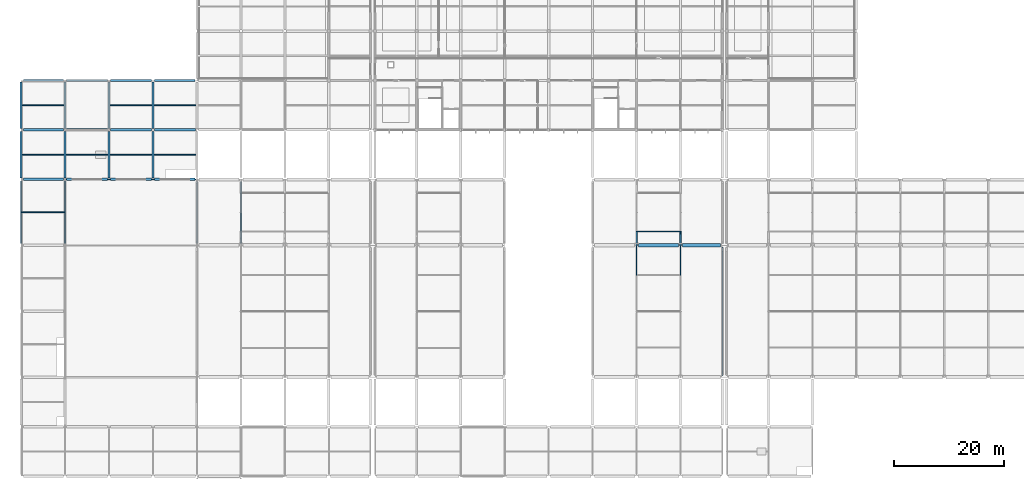
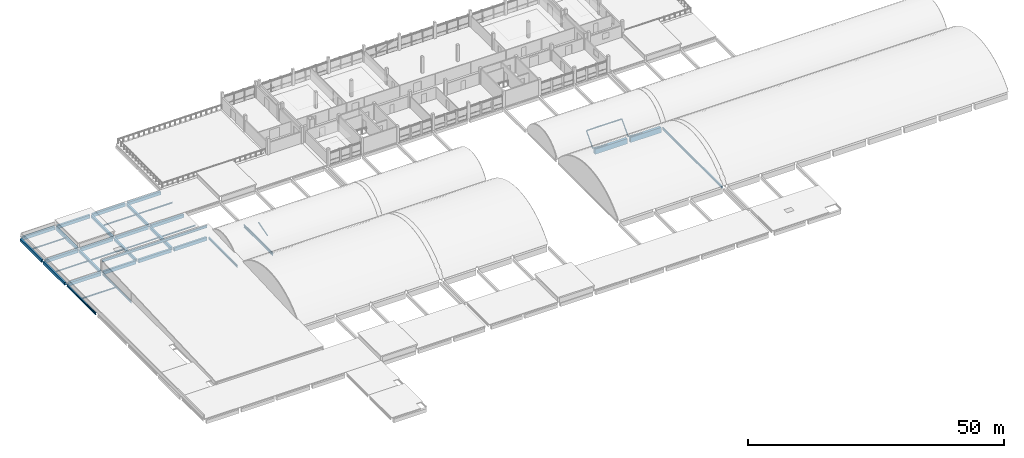
# One storey, part 13 of 57: 36 beams, 7 members.
"""IFC4 building model written with IfcOpenShell, lengths in metres."""

from ifc_helpers import new_model, si_unit, direction, frame, origin, origin_2d, place, context, subcontext, project, spatial, rectangle, hollow_rectangle, hollow_circle, i_section, extrude, material, material_profile, profile_set, type_object, element, save


model = new_model("IFC4")

# Units and contexts
model_context = context("Model", 3, precision=1e-05, world=origin(), true_north=direction((0.0, 1.0)))
body_context = subcontext(model_context, "Body", "Model", "MODEL_VIEW")
ifc_project = project(units=[si_unit("LENGTHUNIT", "METRE"), si_unit("AREAUNIT", "SQUARE_METRE"), si_unit("VOLUMEUNIT", "CUBIC_METRE"), si_unit("PLANEANGLEUNIT", "RADIAN"), si_unit("MASSUNIT", "GRAM", prefix="KILO"), si_unit("THERMODYNAMICTEMPERATUREUNIT", "KELVIN"), si_unit("POWERUNIT", "WATT")], contexts=[model_context])

# Site, building, storey
site_placement = place(None, origin())
site = spatial("IfcSite", under=ifc_project, at=site_placement, CompositionType="ELEMENT")
building_placement = place(site_placement, origin())
building = spatial("IfcBuilding", under=site, at=building_placement, Name="Kronsvod Quay Wholesale Market", CompositionType="ELEMENT")
storey_placement = place(building_placement, frame((0.0, 0.0, 13.199951171875)))
storey = spatial("IfcBuildingStorey", under=building, at=storey_placement, Name="L03", CompositionType="ELEMENT", Elevation=13.199951171875)

# Beams
ifc_material_1 = material(Name="Precast concrete C40/50", Category="concrete")
ifc_material_profile_1 = material_profile(ifc_material_1, rectangle(XDim=0.39990234375, YDim=0.64990234375, at=origin_2d()), Name="PCB400x650")
ifc_profile_set_1 = profile_set([ifc_material_profile_1], Name="Precast concrete C40/50")
beam_type_1 = type_object("IfcBeamType", Name="Beam_PCB400x650", PredefinedType="BEAM", material=ifc_profile_set_1)
for number, where, z_axis, x_axis, name in (
    (1, (0.0, 90.300048828125, -0.635009765625), (0.0, 1.0, 0.0), (-1.0, 0.0, 0.0), "BMY-L03-0-900"),
    (2, (0.0, 99.300048828125, -0.635009765625), (0.0, 1.0, 0.0), (-1.0, 0.0, 0.0), "BMY-L03-0-990"),
    (3, (8.0, 90.300048828125, -0.635009765625), (0.0, 1.0, 0.0), (-1.0, 0.0, 0.0), "BMY-L03-80-900"),
    (4, (8.0, 99.300048828125, -0.635009765625), (0.0, 1.0, 0.0), (-1.0, 0.0, 0.0), "BMY-L03-80-990"),
    (5, (16.0, 90.300048828125, -0.635009765625), (0.0, 1.0, 0.0), (-1.0, 0.0, 0.0), "BMY-L03-160-900"),
    (6, (16.0, 99.300048828125, -0.635009765625), (0.0, 1.0, 0.0), (-1.0, 0.0, 0.0), "BMY-L03-160-990"),
    (7, (24.0, 90.300048828125, -0.635009765625), (0.0, 1.0, 0.0), (-1.0, 0.0, 0.0), "BMY-L03-240-900"),
    (8, (24.0, 99.300048828125, -0.635009765625), (0.0, 1.0, 0.0), (-1.0, 0.0, 0.0), "BMY-L03-240-990"),
):
    element("IfcBeam", number, at=place(storey_placement, frame(where, z_axis=z_axis, x_axis=x_axis)), inside=storey, type_object=beam_type_1, Name=name, PredefinedType="BEAM", context=body_context, shape_type="SweptSolid", body=[
        extrude(rectangle(XDim=0.39990234375, YDim=0.64990234375, at=origin_2d()), origin(), (0.0, 0.0, 1.0), 8.39990234375),
    ])
ifc_material_2 = material(Name="Precast concrete C40/50", Category="concrete")
ifc_material_profile_2 = material_profile(ifc_material_2, rectangle(XDim=0.449951171875, YDim=0.75, at=origin_2d()), Name="PCB450x750")
ifc_profile_set_2 = profile_set([ifc_material_profile_2], Name="Precast concrete C40/50")
beam_type_2 = type_object("IfcBeamType", Name="Beam_PCB450x750", PredefinedType="BEAM", material=ifc_profile_set_2)
beam_1_placement = place(storey_placement, frame((0.39990234375, 99.0, -0.68505859375), z_axis=(1.0, 0.0, 0.0), x_axis=(0.0, 1.0, 0.0)))
element("IfcBeam", 9, at=beam_1_placement, inside=storey, type_object=beam_type_2, Name="BMX-L03-0-990", PredefinedType="BEAM", context=body_context, shape_type="SweptSolid", body=[
    extrude(rectangle(XDim=0.449951171875, YDim=0.75, at=origin_2d()), origin(), (0.0, 0.0, 1.0), 7.300048828125),
])
for number, where, z_axis, x_axis, name in (
    (10, (8.300048828125, 99.0, -0.68505859375), (1.0, 0.0, 0.0), (0.0, 1.0, 0.0), "BMX-L03-80-990"),
    (11, (16.300048828125, 99.0, -0.68505859375), (1.0, 0.0, 0.0), (0.0, 1.0, 0.0), "BMX-L03-160-990"),
    (12, (24.300048828125, 99.0, -0.68505859375), (1.0, 0.0, 0.0), (0.0, 1.0, 0.0), "BMX-L03-240-990"),
):
    element("IfcBeam", number, at=place(storey_placement, frame(where, z_axis=z_axis, x_axis=x_axis)), inside=storey, type_object=beam_type_2, Name=name, PredefinedType="BEAM", context=body_context, shape_type="SweptSolid", body=[
        extrude(rectangle(XDim=0.449951171875, YDim=0.75, at=origin_2d()), origin(), (0.0, 0.0, 1.0), 7.39990234375),
    ])
beam_2_placement = place(storey_placement, frame((0.39990234375, 108.0, -0.68505859375), z_axis=(1.0, 0.0, 0.0), x_axis=(0.0, 1.0, 0.0)))
element("IfcBeam", 13, at=beam_2_placement, inside=storey, type_object=beam_type_2, Name="BMX-L03-0-1080", PredefinedType="BEAM", context=body_context, shape_type="SweptSolid", body=[
    extrude(rectangle(XDim=0.449951171875, YDim=0.75, at=origin_2d()), origin(), (0.0, 0.0, 1.0), 7.300048828125),
])
for number, where, z_axis, x_axis, name in (
    (14, (8.300048828125, 108.0, -0.68505859375), (1.0, 0.0, 0.0), (0.0, 1.0, 0.0), "BMX-L03-80-1080"),
    (15, (16.300048828125, 108.0, -0.68505859375), (1.0, 0.0, 0.0), (0.0, 1.0, 0.0), "BMX-L03-160-1080"),
):
    element("IfcBeam", number, at=place(storey_placement, frame(where, z_axis=z_axis, x_axis=x_axis)), inside=storey, type_object=beam_type_2, Name=name, PredefinedType="BEAM", context=body_context, shape_type="SweptSolid", body=[
        extrude(rectangle(XDim=0.449951171875, YDim=0.75, at=origin_2d()), origin(), (0.0, 0.0, 1.0), 7.39990234375),
    ])
beam_3_placement = place(storey_placement, frame((24.300048828125, 108.0, -0.68505859375), z_axis=(1.0, 0.0, 0.0), x_axis=(0.0, 1.0, 0.0)))
element("IfcBeam", 16, at=beam_3_placement, inside=storey, type_object=beam_type_2, Name="BMX-L03-240-1080", PredefinedType="BEAM", context=body_context, shape_type="SweptSolid", body=[
    extrude(rectangle(XDim=0.449951171875, YDim=0.75, at=origin_2d()), origin(), (0.0, 0.0, 1.0), 7.375),
])
ifc_material_3 = material(Name="Precast concrete C40/50", Category="concrete")
ifc_material_profile_3 = material_profile(ifc_material_3, rectangle(XDim=0.4599609375, YDim=0.780029296875, at=origin_2d()), Name="PB-03")
ifc_profile_set_3 = profile_set([ifc_material_profile_3], Name="Precast concrete C40/50")
beam_type_3 = type_object("IfcBeamType", Name="Beam_PCB460x780", PredefinedType="BEAM", material=ifc_profile_set_3)
beam_4_placement = place(storey_placement, frame((0.39990234375, 90.0, -0.699951171875), z_axis=(1.0, 0.0, 0.0), x_axis=(0.0, 1.0, 0.0)))
element("IfcBeam", 17, at=beam_4_placement, inside=storey, type_object=beam_type_3, Name="BMX-L03-0-900", PredefinedType="BEAM", context=body_context, shape_type="SweptSolid", body=[
    extrude(rectangle(XDim=0.4599609375, YDim=0.780029296875, at=origin_2d()), origin(), (0.0, 0.0, 1.0), 7.300048828125),
])
for number, where, z_axis, x_axis, name in (
    (18, (8.300048828125, 90.0, -0.699951171875), (1.0, 0.0, 0.0), (0.0, 1.0, 0.0), "BMX-L03-80-900"),
    (19, (16.300048828125, 90.0, -0.699951171875), (1.0, 0.0, 0.0), (0.0, 1.0, 0.0), "BMX-L03-160-900"),
):
    element("IfcBeam", number, at=place(storey_placement, frame(where, z_axis=z_axis, x_axis=x_axis)), inside=storey, type_object=beam_type_3, Name=name, PredefinedType="BEAM", context=body_context, shape_type="SweptSolid", body=[
        extrude(rectangle(XDim=0.4599609375, YDim=0.780029296875, at=origin_2d()), origin(), (0.0, 0.0, 1.0), 7.39990234375),
    ])
beam_5_placement = place(storey_placement, frame((24.300048828125, 90.0, -0.699951171875), z_axis=(1.0, 0.0, 0.0), x_axis=(0.0, 1.0, 0.0)))
element("IfcBeam", 20, at=beam_5_placement, inside=storey, type_object=beam_type_3, Name="BMX-L03-240-900", PredefinedType="BEAM", context=body_context, shape_type="SweptSolid", body=[
    extrude(rectangle(XDim=0.4599609375, YDim=0.780029296875, at=origin_2d()), origin(), (0.0, 0.0, 1.0), 7.349853515625),
])
ifc_material_4 = material(Name="Precast concrete C40/50", Category="concrete")
ifc_material_profile_4 = material_profile(ifc_material_4, rectangle(XDim=0.60009765625, YDim=1.25, at=origin_2d()), Name="PCVG600x1250")
ifc_profile_set_4 = profile_set([ifc_material_profile_4], Name="Precast concrete C40/50")
beam_type_4 = type_object("IfcBeamType", Name="Girder_PCVG600x1250", PredefinedType="T_BEAM", material=ifc_profile_set_4)
beam_6_placement = place(storey_placement, frame((112.375, 78.0, -0.844970703125), z_axis=(1.0, 0.0, 0.0), x_axis=(0.0, 1.0, 0.0)))
element("IfcBeam", 21, at=beam_6_placement, inside=storey, type_object=beam_type_4, Name="BMX-L03-1120-780", PredefinedType="T_BEAM", context=body_context, shape_type="SweptSolid", body=[
    extrude(rectangle(XDim=0.60009765625, YDim=1.25, at=origin_2d()), origin(), (0.0, 0.0, 1.0), 7.25),
])
beam_7_placement = place(storey_placement, frame((120.375, 78.0, -0.844970703125), z_axis=(1.0, 0.0, 0.0), x_axis=(0.0, 1.0, 0.0)))
element("IfcBeam", 22, at=beam_7_placement, inside=storey, type_object=beam_type_4, Name="BMX-L03-1200-780", PredefinedType="T_BEAM", context=body_context, shape_type="SweptSolid", body=[
    extrude(rectangle(XDim=0.60009765625, YDim=1.25, at=origin_2d()), origin(), (0.0, 0.0, 1.0), 6.925048828125),
])
ifc_material_5 = material(Name="Steel S355", Category="steel")
ifc_material_profile_5 = material_profile(ifc_material_5, i_section(OverallWidth=0.198974609375, OverallDepth=0.49609375, WebThickness=0.009033203125, FlangeThickness=0.013916015625, FilletRadius=0.02001953125, at=origin_2d()), Name="50B1")
ifc_profile_set_5 = profile_set([ifc_material_profile_5], Name="Steel S355")
beam_type_5 = type_object("IfcBeamType", Name="Girder_Steel50B1", PredefinedType="T_BEAM", material=ifc_profile_set_5)
for number, where, z_axis, x_axis, name in (
    (23, (0.0, 78.300048828125, -0.557861328125), (0.0, 1.0, 0.0), (-1.0, 0.0, 0.0), "BMY-L03-0-780"),
    (24, (8.0, 78.300048828125, -0.557861328125), (0.0, 1.0, 0.0), (-1.0, 0.0, 0.0), "BMY-L03-80-780"),
):
    element("IfcBeam", number, at=place(storey_placement, frame(where, z_axis=z_axis, x_axis=x_axis)), inside=storey, type_object=beam_type_5, Name=name, PredefinedType="T_BEAM", context=body_context, shape_type="SweptSolid", body=[
        extrude(i_section(OverallWidth=0.198974609375, OverallDepth=0.49609375, WebThickness=0.009033203125, FlangeThickness=0.013916015625, FilletRadius=0.02001953125, at=origin_2d()), origin(), (0.0, 0.0, 1.0), 11.39990234375),
    ])
for number, where, z_axis, x_axis, name in (
    (25, (32.0, 78.375, -0.468017578125), (0.0, 1.0, 0.0), (-1.0, 0.0, 0.0), "BMY-L03-320-780"),
    (26, (40.0, 78.375, -0.468017578125), (0.0, 1.0, 0.0), (-1.0, 0.0, 0.0), "BMY-L03-400-780"),
):
    element("IfcBeam", number, at=place(storey_placement, frame(where, z_axis=z_axis, x_axis=x_axis)), inside=storey, type_object=beam_type_5, Name=name, PredefinedType="T_BEAM", context=body_context, shape_type="SweptSolid", body=[
        extrude(i_section(OverallWidth=0.198974609375, OverallDepth=0.49609375, WebThickness=0.009033203125, FlangeThickness=0.013916015625, FilletRadius=0.02001953125, at=origin_2d()), origin(), (0.0, 0.0, 1.0), 11.27490234375),
    ])
ifc_material_6 = material(Name="Steel S355", Category="steel")
ifc_material_profile_6 = material_profile(ifc_material_6, i_section(OverallWidth=0.199951171875, OverallDepth=0.5458984375, WebThickness=0.009521484375, FlangeThickness=0.014892578125, FilletRadius=0.02197265625, at=origin_2d()), Name="55B1")
ifc_profile_set_6 = profile_set([ifc_material_profile_6], Name="Steel S355")
beam_type_6 = type_object("IfcBeamType", Name="Girder_Steel55B1", PredefinedType="T_BEAM", material=ifc_profile_set_6)
beam_8_placement = place(storey_placement, frame((127.60009765625, 54.300048828125, -0.492919921875), z_axis=(0.0, 1.0, 0.0), x_axis=(-1.0, 0.0, 0.0)))
element("IfcBeam", 27, at=beam_8_placement, inside=storey, type_object=beam_type_6, Name="BMY-L03-1276-540", PredefinedType="T_BEAM", context=body_context, shape_type="SweptSolid", body=[
    extrude(i_section(OverallWidth=0.199951171875, OverallDepth=0.5458984375, WebThickness=0.009521484375, FlangeThickness=0.014892578125, FilletRadius=0.02197265625, at=origin_2d()), origin(), (0.0, 0.0, 1.0), 23.39990234375),
])
ifc_material_7 = material(Name="Steel S355", Category="steel")
ifc_material_profile_7 = material_profile(ifc_material_7, i_section(OverallWidth=0.198974609375, OverallDepth=0.595947265625, WebThickness=0.010009765625, FlangeThickness=0.014892578125, FilletRadius=0.02392578125, at=origin_2d()), Name="60B1")
ifc_profile_set_7 = profile_set([ifc_material_profile_7], Name="Steel S355")
beam_type_7 = type_object("IfcBeamType", Name="Girder_Steel60B1", PredefinedType="T_BEAM", material=ifc_profile_set_7)
beam_9_placement = place(storey_placement, frame((8.14501953125, 90.0, 2.152099609375), z_axis=(1.0, 0.0, 0.0), x_axis=(0.0, 1.0, 0.0)))
element("IfcBeam", 28, at=beam_9_placement, inside=storey, type_object=beam_type_7, Name="BMAUC-L03-900", PredefinedType="T_BEAM", context=body_context, shape_type="SweptSolid", body=[
    extrude(i_section(OverallWidth=0.198974609375, OverallDepth=0.595947265625, WebThickness=0.010009765625, FlangeThickness=0.014892578125, FilletRadius=0.02392578125, at=origin_2d()), origin(), (0.0, 0.0, 1.0), 23.7099609375),
])
ifc_material_8 = material(Name="Steel S355", Category="steel")
ifc_material_profile_8 = material_profile(ifc_material_8, i_section(OverallWidth=0.14990234375, OverallDepth=0.300048828125, WebThickness=0.006591796875, FlangeThickness=0.009033203125, FilletRadius=0.012939453125, at=origin_2d()), Name="30B2")
ifc_profile_set_8 = profile_set([ifc_material_profile_8], Name="Steel S355")
beam_type_8 = type_object("IfcBeamType", Name="Joist_Steel30B2", PredefinedType="JOIST", material=ifc_profile_set_8)
beam_10_placement = place(storey_placement, frame((0.094482421875, 84.0, -0.369873046875), z_axis=(1.0, 0.0, 0.0), x_axis=(0.0, 1.0, 0.0)))
element("IfcBeam", 29, at=beam_10_placement, inside=storey, type_object=beam_type_8, Name="JSTX-L03-0-780", PredefinedType="JOIST", context=body_context, shape_type="SweptSolid", body=[
    extrude(i_section(OverallWidth=0.14990234375, OverallDepth=0.300048828125, WebThickness=0.006591796875, FlangeThickness=0.009033203125, FilletRadius=0.012939453125, at=origin_2d()), origin(), (0.0, 0.0, 1.0), 7.81103515625),
])
for number, where, z_axis, x_axis, name in (
    (30, (0.195068359375, 94.5, -0.369873046875), (1.0, 0.0, 0.0), (0.0, 1.0, 0.0), "JSTX-L03-0-900"),
    (31, (0.195068359375, 103.5, -0.369873046875), (1.0, 0.0, 0.0), (0.0, 1.0, 0.0), "JSTX-L03-0-990"),
    (32, (8.195068359375, 94.5, -0.369873046875), (1.0, 0.0, 0.0), (0.0, 1.0, 0.0), "JSTX-L03-80-900"),
    (33, (16.195068359375, 94.5, -0.369873046875), (1.0, 0.0, 0.0), (0.0, 1.0, 0.0), "JSTX-L03-160-900"),
    (34, (16.195068359375, 103.5, -0.369873046875), (1.0, 0.0, 0.0), (0.0, 1.0, 0.0), "JSTX-L03-160-990"),
    (35, (24.195068359375, 94.5, -0.369873046875), (1.0, 0.0, 0.0), (0.0, 1.0, 0.0), "JSTX-L03-240-900"),
    (36, (24.195068359375, 103.5, -0.369873046875), (1.0, 0.0, 0.0), (0.0, 1.0, 0.0), "JSTX-L03-240-990"),
):
    element("IfcBeam", number, at=place(storey_placement, frame(where, z_axis=z_axis, x_axis=x_axis)), inside=storey, type_object=beam_type_8, Name=name, PredefinedType="JOIST", context=body_context, shape_type="SweptSolid", body=[
        extrude(i_section(OverallWidth=0.14990234375, OverallDepth=0.300048828125, WebThickness=0.006591796875, FlangeThickness=0.009033203125, FilletRadius=0.012939453125, at=origin_2d()), origin(), (0.0, 0.0, 1.0), 7.60986328125),
    ])

# Members
ifc_material_9 = material(Name="Steel S355", Category="steel")
ifc_material_profile_9 = material_profile(ifc_material_9, hollow_rectangle(XDim=0.199951171875, YDim=0.199951171875, WallThickness=0.010009765625, InnerFilletRadius=0.010009765625, OuterFilletRadius=0.02001953125, at=origin_2d()), Name="RHS200x200x10")
ifc_profile_set_9 = profile_set([ifc_material_profile_9], Name="Steel S355")
member_type_1 = type_object("IfcMemberType", Name="Member_Arch200x200", PredefinedType="RAFTER", material=ifc_profile_set_9)
member_1_placement = place(storey_placement, frame((40.0, 80.483154296875, 2.775146484375), z_axis=(0.0, 0.957082500132, 0.289815610245), x_axis=(-1.0, 0.0, 0.0)))
element("IfcMember", 37, at=member_1_placement, inside=storey, type_object=member_type_1, Name="ARCG-SH-V1W-N-400-1", PredefinedType="RAFTER", context=body_context, shape_type="SweptSolid", body=[
    extrude(hollow_rectangle(XDim=0.199951171875, YDim=0.199951171875, WallThickness=0.010009765625, InnerFilletRadius=0.010009765625, OuterFilletRadius=0.02001953125, at=origin_2d()), origin(), (0.0, 0.0, 1.0), 3.674560546875),
])
for number, where, z_axis, x_axis, name in (
    (38, (112.0, 78.0, -0.010009765625), (0.0, 0.67865576732, 0.734456499381), (-1.0, 0.0, 0.0), "ARCG-SH-V2C-N-1120-0"),
    (39, (120.0, 78.0, -0.010009765625), (0.0, 0.67865576732, 0.734456499381), (-1.0, 0.0, 0.0), "ARCG-SH-V2C-N-1200-0"),
):
    element("IfcMember", number, at=place(storey_placement, frame(where, z_axis=z_axis, x_axis=x_axis)), inside=storey, type_object=member_type_1, Name=name, PredefinedType="RAFTER", context=body_context, shape_type="SweptSolid", body=[
        extrude(hollow_rectangle(XDim=0.199951171875, YDim=0.199951171875, WallThickness=0.010009765625, InnerFilletRadius=0.010009765625, OuterFilletRadius=0.02001953125, at=origin_2d()), origin(), (0.0, 0.0, 1.0), 3.697021484375),
    ])
ifc_material_10 = material(Name="Steel S355", Category="steel")
ifc_material_profile_10 = material_profile(ifc_material_10, hollow_rectangle(XDim=0.14990234375, YDim=0.25, WallThickness=0.010009765625, InnerFilletRadius=0.010009765625, OuterFilletRadius=0.02001953125, at=origin_2d()), Name="RHS250x150x10")
ifc_profile_set_10 = profile_set([ifc_material_profile_10], Name="Steel S355")
member_type_2 = type_object("IfcMemberType", Name="Member_Arch250x150", PredefinedType="RAFTER", material=ifc_profile_set_10)
for number, where, z_axis, x_axis, name in (
    (40, (112.0, 72.594482421875, 4.1298828125), (0.0, 0.79391386882, -0.608030236827), (-1.0, 0.0, 0.0), "ARCG-SH-V2C-M-1120-3"),
    (41, (120.0, 72.594482421875, 4.1298828125), (0.0, 0.79391386882, -0.608030236827), (-1.0, 0.0, 0.0), "ARCG-SH-V2C-M-1200-3"),
):
    element("IfcMember", number, at=place(storey_placement, frame(where, z_axis=z_axis, x_axis=x_axis)), inside=storey, type_object=member_type_2, Name=name, PredefinedType="RAFTER", context=body_context, shape_type="SweptSolid", body=[
        extrude(hollow_rectangle(XDim=0.14990234375, YDim=0.25, WallThickness=0.010009765625, InnerFilletRadius=0.010009765625, OuterFilletRadius=0.02001953125, at=origin_2d()), origin(), (0.0, 0.0, 1.0), 6.80859375),
    ])
ifc_material_11 = material(Name="Steel S355", Category="steel")
ifc_material_profile_11 = material_profile(ifc_material_11, hollow_circle(Radius=0.109619140625, WallThickness=0.010009765625, at=origin_2d()), Name="CHS219x10")
ifc_profile_set_11 = profile_set([ifc_material_profile_11], Name="Steel S355")
member_type_3 = type_object("IfcMemberType", Name="Member_Chord219x10", PredefinedType="CHORD", material=ifc_profile_set_11)
member_2_placement = place(storey_placement, frame((40.0, 78.340087890625, -0.079833984375), z_axis=(0.0, 1.0, 0.0), x_axis=(-1.0, 0.0, 0.0)))
element("IfcMember", 42, at=member_2_placement, inside=storey, type_object=member_type_3, Name="CHDG-SH-V1W-N-400", PredefinedType="CHORD", context=body_context, shape_type="SweptSolid", body=[
    extrude(hollow_circle(Radius=0.109619140625, WallThickness=0.010009765625, at=origin_2d()), origin(), (0.0, 0.0, 1.0), 11.31982421875),
])
ifc_material_12 = material(Name="Steel S355", Category="steel")
ifc_material_profile_12 = material_profile(ifc_material_12, hollow_rectangle(XDim=0.10009765625, YDim=0.179931640625, WallThickness=0.008056640625, InnerFilletRadius=0.008056640625, OuterFilletRadius=0.01611328125, at=origin_2d()), Name="RHS180x100x8")
ifc_profile_set_12 = profile_set([ifc_material_profile_12], Name="Steel S355")
member_type_4 = type_object("IfcMemberType", Name="Member_Purlin180x100", PredefinedType="PURLIN", material=ifc_profile_set_12)
member_3_placement = place(storey_placement, frame((112.080078125, 80.509033203125, 2.645263671875), z_axis=(1.0, 0.0, 0.0), x_axis=(0.0, 1.0, 0.0)))
element("IfcMember", 43, at=member_3_placement, inside=storey, type_object=member_type_4, Name="PRLG-SH-V2C-N-0-0", PredefinedType="PURLIN", context=body_context, shape_type="SweptSolid", body=[
    extrude(hollow_rectangle(XDim=0.10009765625, YDim=0.179931640625, WallThickness=0.008056640625, InnerFilletRadius=0.008056640625, OuterFilletRadius=0.01611328125, at=origin_2d()), origin(), (0.0, 0.0, 1.0), 7.83984375),
])

save(model, "model.ifc")
